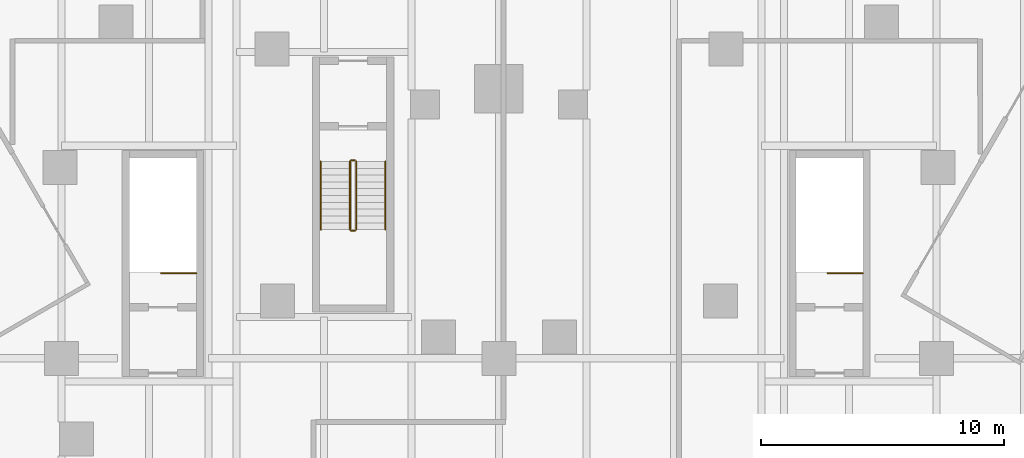
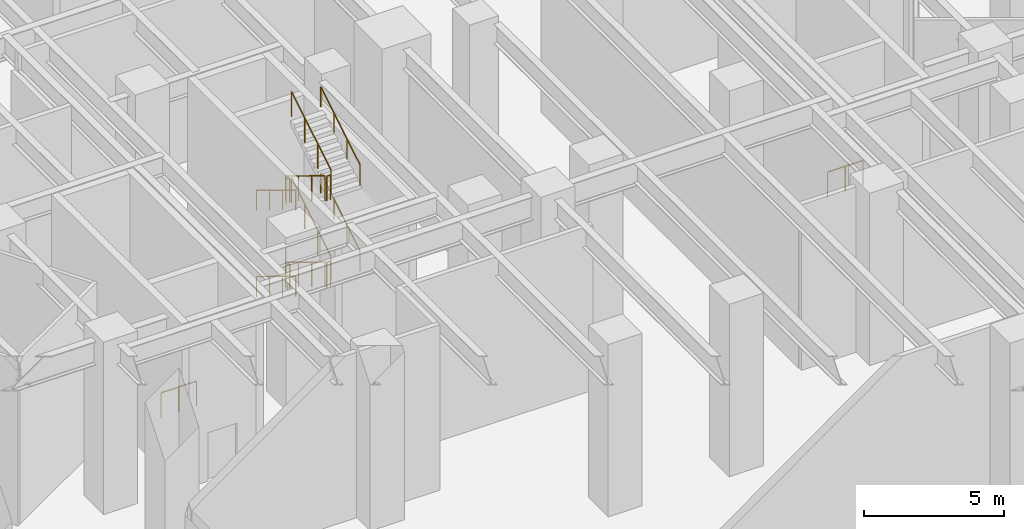
# One storey, part 34 of 37: 14 railings.
"""IFC4 building model written with IfcOpenShell, lengths in metres."""

from ifc_helpers import new_model, si_unit, direction, frame, origin, origin_2d, place, context, subcontext, project, spatial, circle, extrude, material, type_object, element, save


model = new_model("IFC4")

# Units and contexts
model_context = context("Model", 3, precision=1e-05, world=origin(), true_north=direction((0.0, 1.0)))
body_context = subcontext(model_context, "Body", "Model", "MODEL_VIEW")
ifc_project = project(units=[si_unit("LENGTHUNIT", "METRE"), si_unit("AREAUNIT", "SQUARE_METRE"), si_unit("VOLUMEUNIT", "CUBIC_METRE"), si_unit("PLANEANGLEUNIT", "RADIAN"), si_unit("MASSUNIT", "GRAM", prefix="KILO")], contexts=[model_context])

# Site, building, storey
site_placement = place(None, origin())
site = spatial("IfcSite", under=ifc_project, at=site_placement, CompositionType="ELEMENT")
building_placement = place(site_placement, origin())
building = spatial("IfcBuilding", under=site, at=building_placement, Name="Aloe Facet Convention Tower", CompositionType="ELEMENT")
storey_placement = place(building_placement, origin())
storey = spatial("IfcBuildingStorey", under=building, at=storey_placement, Name="L00", CompositionType="ELEMENT", Elevation=0.0)

# Railings
ifc_material_1 = material(Name="Steel S355 balustrade", Category="steel")
railing_type_1 = type_object("IfcRailingType", Name="CR-RL-GUARD", PredefinedType="GUARDRAIL", material=ifc_material_1)
railing_1_placement = place(storey_placement, frame((73.875, 89.10009765625, 0.17041015625)))
element("IfcRailing", 1, at=railing_1_placement, inside=storey, type_object=railing_type_1, Name="L00 ST4 stair guard 1", PredefinedType="GUARDRAIL", context=body_context, shape_type="SweptSolid", body=[
    extrude(circle(Radius=0.02392578125, at=origin_2d()), frame((0.0, 0.0, 1.076171875), z_axis=(0.0, -0.854169791009, 0.51999420009), x_axis=(1.0, 0.0, 0.0)), (0.0, 0.0, 1.0), 3.278076171875),
    extrude(circle(Radius=0.02099609375, at=origin_2d()), origin(), (0.0, 0.0, 1.0), 1.052001953125),
    extrude(circle(Radius=0.02099609375, at=origin_2d()), frame((0.0, -0.933349609375, 0.568115234375)), (0.0, 0.0, 1.0), 1.052001953125),
    extrude(circle(Radius=0.02099609375, at=origin_2d()), frame((0.0, -1.86669921875, 1.136474609375)), (0.0, 0.0, 1.0), 1.052001953125),
    extrude(circle(Radius=0.02099609375, at=origin_2d()), frame((0.0, -2.800048828125, 1.70458984375)), (0.0, 0.0, 1.0), 1.052001953125),
])
railing_2_placement = place(storey_placement, frame((73.925048828125, 86.25, 1.875)))
element("IfcRailing", 2, at=railing_2_placement, inside=storey, type_object=railing_type_1, Name="L00 ST4 stair guard 2", PredefinedType="GUARDRAIL", context=body_context, shape_type="SweptSolid", body=[
    extrude(circle(Radius=0.02392578125, at=origin_2d()), frame((0.0, 0.0, 1.076171875), z_axis=(1.0, 0.0, 0.0), x_axis=(0.0, 1.0, 0.0)), (0.0, 0.0, 1.0), 0.14990234375),
    extrude(circle(Radius=0.02099609375, at=origin_2d()), origin(), (0.0, 0.0, 1.0), 1.052001953125),
    extrude(circle(Radius=0.02099609375, at=origin_2d()), frame((0.14990234375, 0.0, 0.0)), (0.0, 0.0, 1.0), 1.052001953125),
])
railing_3_placement = place(storey_placement, frame((74.125, 86.300048828125, 2.04541015625)))
element("IfcRailing", 3, at=railing_3_placement, inside=storey, type_object=railing_type_1, Name="L00 ST4 stair guard 3", PredefinedType="GUARDRAIL", context=body_context, shape_type="SweptSolid", body=[
    extrude(circle(Radius=0.02392578125, at=origin_2d()), frame((0.0, 0.0, 1.076171875), z_axis=(0.0, 0.854169791009, 0.51999420009), x_axis=(-1.0, 0.0, 0.0)), (0.0, 0.0, 1.0), 3.278076171875),
    extrude(circle(Radius=0.02099609375, at=origin_2d()), origin(), (0.0, 0.0, 1.0), 1.052001953125),
    extrude(circle(Radius=0.02099609375, at=origin_2d()), frame((0.0, 0.933349609375, 0.568115234375)), (0.0, 0.0, 1.0), 1.052001953125),
    extrude(circle(Radius=0.02099609375, at=origin_2d()), frame((0.0, 1.86669921875, 1.136474609375)), (0.0, 0.0, 1.0), 1.052001953125),
    extrude(circle(Radius=0.02099609375, at=origin_2d()), frame((0.0, 2.800048828125, 1.70458984375)), (0.0, 0.0, 1.0), 1.052001953125),
])
railing_4_placement = place(storey_placement, frame((73.925048828125, 89.14990234375, 3.75)))
element("IfcRailing", 4, at=railing_4_placement, inside=storey, type_object=railing_type_1, Name="L00 ST4 stair guard 4", PredefinedType="GUARDRAIL", context=body_context, shape_type="SweptSolid", body=[
    extrude(circle(Radius=0.02392578125, at=origin_2d()), frame((0.0, 0.0, 1.076171875), z_axis=(1.0, 0.0, 0.0), x_axis=(0.0, 1.0, 0.0)), (0.0, 0.0, 1.0), 0.14990234375),
    extrude(circle(Radius=0.02099609375, at=origin_2d()), origin(), (0.0, 0.0, 1.0), 1.052001953125),
    extrude(circle(Radius=0.02099609375, at=origin_2d()), frame((0.14990234375, 0.0, 0.0)), (0.0, 0.0, 1.0), 1.052001953125),
])
railing_5_placement = place(storey_placement, frame((73.875, 89.10009765625, 3.92041015625)))
element("IfcRailing", 5, at=railing_5_placement, inside=storey, type_object=railing_type_1, Name="L00 ST4 stair guard 5", PredefinedType="GUARDRAIL", context=body_context, shape_type="SweptSolid", body=[
    extrude(circle(Radius=0.02392578125, at=origin_2d()), frame((0.0, 0.0, 1.076171875), z_axis=(0.0, -0.854169791009, 0.51999420009), x_axis=(1.0, 0.0, 0.0)), (0.0, 0.0, 1.0), 3.278076171875),
    extrude(circle(Radius=0.02099609375, at=origin_2d()), origin(), (0.0, 0.0, 1.0), 1.052001953125),
    extrude(circle(Radius=0.02099609375, at=origin_2d()), frame((0.0, -0.933349609375, 0.568115234375)), (0.0, 0.0, 1.0), 1.052001953125),
    extrude(circle(Radius=0.02099609375, at=origin_2d()), frame((0.0, -1.86669921875, 1.136474609375)), (0.0, 0.0, 1.0), 1.052001953125),
    extrude(circle(Radius=0.02099609375, at=origin_2d()), frame((0.0, -2.800048828125, 1.70458984375)), (0.0, 0.0, 1.0), 1.052001953125),
])
railing_6_placement = place(storey_placement, frame((73.925048828125, 86.25, 5.625)))
element("IfcRailing", 6, at=railing_6_placement, inside=storey, type_object=railing_type_1, Name="L00 ST4 stair guard 6", PredefinedType="GUARDRAIL", context=body_context, shape_type="SweptSolid", body=[
    extrude(circle(Radius=0.02392578125, at=origin_2d()), frame((0.0, 0.0, 1.076171875), z_axis=(1.0, 0.0, 0.0), x_axis=(0.0, 1.0, 0.0)), (0.0, 0.0, 1.0), 0.14990234375),
    extrude(circle(Radius=0.02099609375, at=origin_2d()), origin(), (0.0, 0.0, 1.0), 1.052001953125),
    extrude(circle(Radius=0.02099609375, at=origin_2d()), frame((0.14990234375, 0.0, 0.0)), (0.0, 0.0, 1.0), 1.052001953125),
])
railing_7_placement = place(storey_placement, frame((74.125, 86.300048828125, 5.79541015625)))
element("IfcRailing", 7, at=railing_7_placement, inside=storey, type_object=railing_type_1, Name="L00 ST4 stair guard 7", PredefinedType="GUARDRAIL", context=body_context, shape_type="SweptSolid", body=[
    extrude(circle(Radius=0.02392578125, at=origin_2d()), frame((0.0, 0.0, 1.076171875), z_axis=(0.0, 0.854169791009, 0.51999420009), x_axis=(-1.0, 0.0, 0.0)), (0.0, 0.0, 1.0), 3.278076171875),
    extrude(circle(Radius=0.02099609375, at=origin_2d()), origin(), (0.0, 0.0, 1.0), 1.052001953125),
    extrude(circle(Radius=0.02099609375, at=origin_2d()), frame((0.0, 0.933349609375, 0.568115234375)), (0.0, 0.0, 1.0), 1.052001953125),
    extrude(circle(Radius=0.02099609375, at=origin_2d()), frame((0.0, 1.86669921875, 1.136474609375)), (0.0, 0.0, 1.0), 1.052001953125),
    extrude(circle(Radius=0.02099609375, at=origin_2d()), frame((0.0, 2.800048828125, 1.70458984375)), (0.0, 0.0, 1.0), 1.052001953125),
])
railing_8_placement = place(storey_placement, frame((73.925048828125, 89.14990234375, 0.0)))
element("IfcRailing", 8, at=railing_8_placement, inside=storey, type_object=railing_type_1, Name="L00 ST4 stair guard 8", PredefinedType="GUARDRAIL", context=body_context, shape_type="SweptSolid", body=[
    extrude(circle(Radius=0.02392578125, at=origin_2d()), frame((0.0, 0.0, 1.076171875), z_axis=(1.0, 0.0, 0.0), x_axis=(0.0, 1.0, 0.0)), (0.0, 0.0, 1.0), 0.14990234375),
    extrude(circle(Radius=0.02099609375, at=origin_2d()), origin(), (0.0, 0.0, 1.0), 1.052001953125),
    extrude(circle(Radius=0.02099609375, at=origin_2d()), frame((0.14990234375, 0.0, 0.0)), (0.0, 0.0, 1.0), 1.052001953125),
])
railing_9_placement = place(storey_placement, frame((94.97509765625, 84.5, 0.0)))
element("IfcRailing", 9, at=railing_9_placement, inside=storey, type_object=railing_type_1, Name="L00 ST6 top well guard 1", PredefinedType="GUARDRAIL", context=body_context, shape_type="SweptSolid", body=[
    extrude(circle(Radius=0.02392578125, at=origin_2d()), frame((0.0, 0.0, 1.076171875), z_axis=(-1.0, 0.0, 0.0), x_axis=(0.0, -1.0, 0.0)), (0.0, 0.0, 1.0), 1.4501953125),
    extrude(circle(Radius=0.02099609375, at=origin_2d()), origin(), (0.0, 0.0, 1.0), 1.052001953125),
    extrude(circle(Radius=0.02099609375, at=origin_2d()), frame((-0.72509765625, 0.0, 0.0)), (0.0, 0.0, 1.0), 1.052001953125),
    extrude(circle(Radius=0.02099609375, at=origin_2d()), frame((-1.4501953125, 0.0, 0.0)), (0.0, 0.0, 1.0), 1.052001953125),
])
railing_10_placement = place(storey_placement, frame((67.550048828125, 84.5, 0.0)))
element("IfcRailing", 10, at=railing_10_placement, inside=storey, type_object=railing_type_1, Name="L00 ST7 top well guard 1", PredefinedType="GUARDRAIL", context=body_context, shape_type="SweptSolid", body=[
    extrude(circle(Radius=0.02392578125, at=origin_2d()), frame((0.0, 0.0, 1.076171875), z_axis=(-1.0, 0.0, 0.0), x_axis=(0.0, -1.0, 0.0)), (0.0, 0.0, 1.0), 1.449951171875),
    extrude(circle(Radius=0.02099609375, at=origin_2d()), origin(), (0.0, 0.0, 1.0), 1.052001953125),
    extrude(circle(Radius=0.02099609375, at=origin_2d()), frame((-0.72509765625, 0.0, 0.0)), (0.0, 0.0, 1.0), 1.052001953125),
    extrude(circle(Radius=0.02099609375, at=origin_2d()), frame((-1.449951171875, 0.0, 0.0)), (0.0, 0.0, 1.0), 1.052001953125),
])
ifc_material_2 = material(Name="Steel S355 handrail", Category="steel")
railing_type_2 = type_object("IfcRailingType", Name="CR-RL-HAND", PredefinedType="HANDRAIL", material=ifc_material_2)
railing_11_placement = place(storey_placement, frame((72.675048828125, 89.10009765625, 0.17041015625)))
element("IfcRailing", 11, at=railing_11_placement, inside=storey, type_object=railing_type_2, Name="L00 ST4 stair handrail 1", PredefinedType="HANDRAIL", context=body_context, shape_type="SweptSolid", body=[
    extrude(circle(Radius=0.02392578125, at=origin_2d()), frame((0.0, 0.0, 0.8759765625), z_axis=(0.0, -0.854169791009, 0.51999420009), x_axis=(1.0, 0.0, 0.0)), (0.0, 0.0, 1.0), 3.278076171875),
    extrude(circle(Radius=0.02099609375, at=origin_2d()), origin(), (0.0, 0.0, 1.0), 0.851806640625),
    extrude(circle(Radius=0.02099609375, at=origin_2d()), frame((0.0, -0.933349609375, 0.568115234375)), (0.0, 0.0, 1.0), 0.851806640625),
    extrude(circle(Radius=0.02099609375, at=origin_2d()), frame((0.0, -1.86669921875, 1.136474609375)), (0.0, 0.0, 1.0), 0.851806640625),
    extrude(circle(Radius=0.02099609375, at=origin_2d()), frame((0.0, -2.800048828125, 1.70458984375)), (0.0, 0.0, 1.0), 0.851806640625),
])
railing_12_placement = place(storey_placement, frame((75.324951171875, 86.300048828125, 2.04541015625)))
element("IfcRailing", 12, at=railing_12_placement, inside=storey, type_object=railing_type_2, Name="L00 ST4 stair handrail 2", PredefinedType="HANDRAIL", context=body_context, shape_type="SweptSolid", body=[
    extrude(circle(Radius=0.02392578125, at=origin_2d()), frame((0.0, 0.0, 0.8759765625), z_axis=(0.0, 0.854169791009, 0.51999420009), x_axis=(-1.0, 0.0, 0.0)), (0.0, 0.0, 1.0), 3.278076171875),
    extrude(circle(Radius=0.02099609375, at=origin_2d()), origin(), (0.0, 0.0, 1.0), 0.851806640625),
    extrude(circle(Radius=0.02099609375, at=origin_2d()), frame((0.0, 0.933349609375, 0.568115234375)), (0.0, 0.0, 1.0), 0.851806640625),
    extrude(circle(Radius=0.02099609375, at=origin_2d()), frame((0.0, 1.86669921875, 1.136474609375)), (0.0, 0.0, 1.0), 0.851806640625),
    extrude(circle(Radius=0.02099609375, at=origin_2d()), frame((0.0, 2.800048828125, 1.70458984375)), (0.0, 0.0, 1.0), 0.851806640625),
])
railing_13_placement = place(storey_placement, frame((72.675048828125, 89.10009765625, 3.92041015625)))
element("IfcRailing", 13, at=railing_13_placement, inside=storey, type_object=railing_type_2, Name="L00 ST4 stair handrail 3", PredefinedType="HANDRAIL", context=body_context, shape_type="SweptSolid", body=[
    extrude(circle(Radius=0.02392578125, at=origin_2d()), frame((0.0, 0.0, 0.8759765625), z_axis=(0.0, -0.854169791009, 0.51999420009), x_axis=(1.0, 0.0, 0.0)), (0.0, 0.0, 1.0), 3.278076171875),
    extrude(circle(Radius=0.02099609375, at=origin_2d()), origin(), (0.0, 0.0, 1.0), 0.851806640625),
    extrude(circle(Radius=0.02099609375, at=origin_2d()), frame((0.0, -0.933349609375, 0.568115234375)), (0.0, 0.0, 1.0), 0.851806640625),
    extrude(circle(Radius=0.02099609375, at=origin_2d()), frame((0.0, -1.86669921875, 1.136474609375)), (0.0, 0.0, 1.0), 0.851806640625),
    extrude(circle(Radius=0.02099609375, at=origin_2d()), frame((0.0, -2.800048828125, 1.70458984375)), (0.0, 0.0, 1.0), 0.851806640625),
])
railing_14_placement = place(storey_placement, frame((75.324951171875, 86.300048828125, 5.79541015625)))
element("IfcRailing", 14, at=railing_14_placement, inside=storey, type_object=railing_type_2, Name="L00 ST4 stair handrail 4", PredefinedType="HANDRAIL", context=body_context, shape_type="SweptSolid", body=[
    extrude(circle(Radius=0.02392578125, at=origin_2d()), frame((0.0, 0.0, 0.8759765625), z_axis=(0.0, 0.854169791009, 0.51999420009), x_axis=(-1.0, 0.0, 0.0)), (0.0, 0.0, 1.0), 3.278076171875),
    extrude(circle(Radius=0.02099609375, at=origin_2d()), origin(), (0.0, 0.0, 1.0), 0.851806640625),
    extrude(circle(Radius=0.02099609375, at=origin_2d()), frame((0.0, 0.933349609375, 0.568115234375)), (0.0, 0.0, 1.0), 0.851806640625),
    extrude(circle(Radius=0.02099609375, at=origin_2d()), frame((0.0, 1.86669921875, 1.136474609375)), (0.0, 0.0, 1.0), 0.851806640625),
    extrude(circle(Radius=0.02099609375, at=origin_2d()), frame((0.0, 2.800048828125, 1.70458984375)), (0.0, 0.0, 1.0), 0.851806640625),
])

save(model, "model.ifc")
